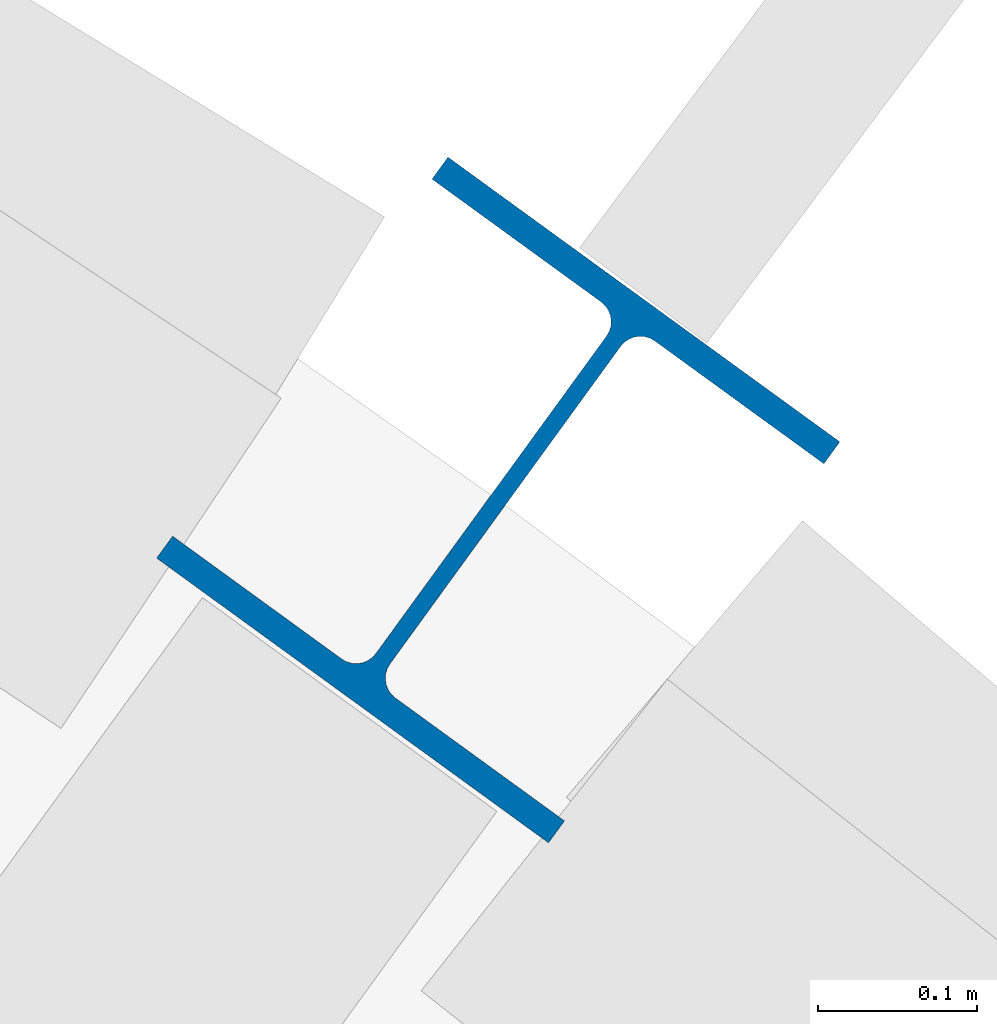
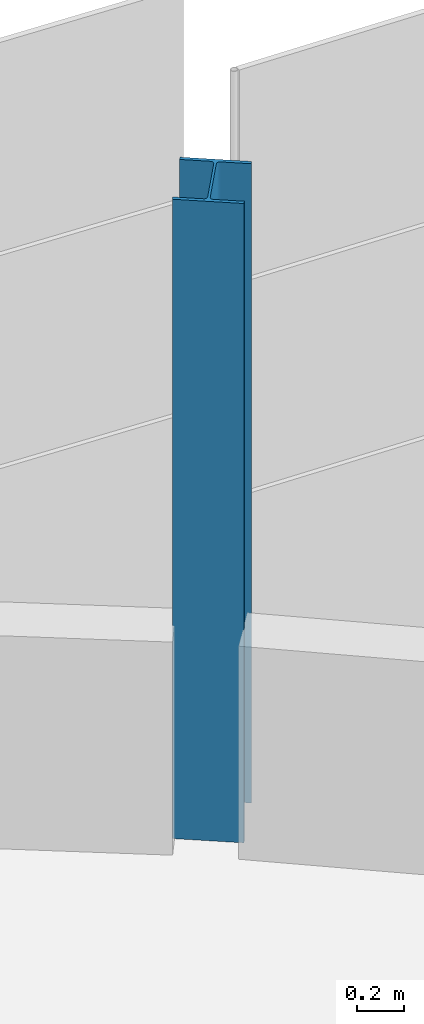
# One storey, part 35 of 214: 1 column.
"""IFC4 building model written with IfcOpenShell, lengths in metres."""

import ifcopenshell
import ifcopenshell.guid

model = None  # the IFC model being written
_history = None  # IfcOwnerHistory: only IFC2X3 demands one
_inside = {}  # id of a spatial element -> (the spatial element, [elements in it])
_under = {}  # id of a project, library or spatial element -> (it, [spatial elements below it])
_declared = {}  # id of a project -> (the project, [libraries it declares])
_typed = {}  # id of a type object -> (the type object, [elements of that type])
_made_of = {}  # id of a material, layer set ... -> (it, [elements and type objects made of it])


def new_model(schema):
    """Start an empty IFC model of exactly this schema.

    Asked for "IFC4X3", IfcOpenShell would pick the latest addendum, in which some entities
    have other attributes; the version numbers below select the first issue.
    IFC2X3 requires an IfcOwnerHistory on every rooted entity: one is made here for all.
    """
    global model, _history
    if schema == "IFC4X3":
        model = ifcopenshell.file(schema_version=(4, 3, 0, 0))
    else:
        model = ifcopenshell.file(schema=schema)
    _inside.clear()
    _under.clear()
    _declared.clear()
    _typed.clear()
    _made_of.clear()
    _history = None
    if model.schema == "IFC2X3":
        org = make("IfcOrganization", Name="unknown")
        user = make(
            "IfcPersonAndOrganization",
            ThePerson=make("IfcPerson", FamilyName="unknown"),
            TheOrganization=org,
        )
        app = make(
            "IfcApplication",
            ApplicationDeveloper=org,
            Version="unknown",
            ApplicationFullName="unknown",
            ApplicationIdentifier="unknown",
        )
        _history = make(
            "IfcOwnerHistory",
            OwningUser=user,
            OwningApplication=app,
            ChangeAction="ADDED",
            CreationDate=0,
        )
    return model


def make(cls, **values):
    """One entity of the class cls with the attributes given. An attribute that is None is left unset."""
    return model.create_entity(
        cls, **{name: value for name, value in values.items() if value is not None}
    )


def rooted(cls, **values):
    """An entity with a GlobalId (a new one), such as an element, a storey or a relation."""
    return make(cls, GlobalId=ifcopenshell.guid.new(), OwnerHistory=_history, **values)


def si_unit(unit_type, name, prefix=None):
    """IfcSIUnit, for example si_unit("LENGTHUNIT", "METRE", prefix="MILLI")."""
    return make("IfcSIUnit", UnitType=unit_type, Prefix=prefix, Name=name)


def assignment(units):
    """IfcUnitAssignment: the units of a project."""
    return None if units is None else make("IfcUnitAssignment", Units=units)


def point(xyz):
    """IfcCartesianPoint."""
    return None if xyz is None else make("IfcCartesianPoint", Coordinates=xyz)


def direction(xyz):
    """IfcDirection."""
    return None if xyz is None else make("IfcDirection", DirectionRatios=xyz)


def frame(location, z_axis=None, x_axis=None):
    """IfcAxis2Placement3D, a coordinate frame: its origin and axes. An axis left out is left unset."""
    return make(
        "IfcAxis2Placement3D",
        Location=point(location),
        Axis=direction(z_axis),
        RefDirection=direction(x_axis),
    )


def frame_2d(location, x_axis=None):
    """IfcAxis2Placement2D, a coordinate frame in the plane: its origin and x axis."""
    return make(
        "IfcAxis2Placement2D", Location=point(location), RefDirection=direction(x_axis)
    )


def origin():
    """The frame at (0, 0, 0) with its axes left unset."""
    return frame((0.0, 0.0, 0.0))


def origin_2d():
    """The frame at (0, 0) in the plane with its x axis left unset."""
    return frame_2d((0.0, 0.0))


def place(relative_to, where):
    """IfcLocalPlacement: puts the frame where relative to a parent placement (None: the world)."""
    return make(
        "IfcLocalPlacement", PlacementRelTo=relative_to, RelativePlacement=where
    )


def context(
    kind, dimensions, precision=None, world=None, true_north=None, identifier=None
):
    """IfcGeometricRepresentationContext, for example the 3D "Model" context."""
    return make(
        "IfcGeometricRepresentationContext",
        ContextIdentifier=identifier,
        ContextType=kind,
        CoordinateSpaceDimension=dimensions,
        Precision=precision,
        WorldCoordinateSystem=world,
        TrueNorth=true_north,
    )


def subcontext(parent, identifier, kind, view, scale=None):
    """IfcGeometricRepresentationSubContext, for example "Body" below "Model"."""
    return make(
        "IfcGeometricRepresentationSubContext",
        ContextIdentifier=identifier,
        ContextType=kind,
        ParentContext=parent,
        TargetScale=scale,
        TargetView=view,
    )


def project(units=None, contexts=None):
    """IfcProject with its units and contexts."""
    return rooted(
        "IfcProject",
        Name="project",
        RepresentationContexts=contexts,
        UnitsInContext=assignment(units),
    )


def spatial(cls, under=None, at=None, **own):
    """A site, building, storey or space (cls), placed at a placement, below another one or the project."""
    s = rooted(cls, ObjectPlacement=at, **own)
    if under is not None:
        _under.setdefault(under.id(), (under, []))[1].append(s)
    return s


def profile(cls, at=None, kind="AREA", **sizes):
    """A parametric profile (cls). Its sizes go by their IFC names, for example OverallWidth=200.0."""
    return make(cls, ProfileType=kind, Position=at, **sizes)


def i_section(**sizes):
    """IfcIShapeProfileDef."""
    return profile("IfcIShapeProfileDef", **sizes)


def extrude(swept, where, along, depth):
    """IfcExtrudedAreaSolid: the profile swept, set in the frame where, extruded along a direction by depth."""
    return make(
        "IfcExtrudedAreaSolid",
        SweptArea=swept,
        Position=where,
        ExtrudedDirection=direction(along),
        Depth=depth,
    )


def shape(context_of_items, identifier, shape_type, items):
    """IfcShapeRepresentation: the items that make up one representation, for example the "Body"."""
    return make(
        "IfcShapeRepresentation",
        ContextOfItems=context_of_items,
        RepresentationIdentifier=identifier,
        RepresentationType=shape_type,
        Items=items,
    )


def material(Name=None, Category=None):
    """IfcMaterial."""
    return make("IfcMaterial", Name=Name, Category=Category)


def material_profile(
    of_material, cross_section, Name=None, Category=None, Priority=None
):
    """IfcMaterialProfile: a cross section and its material."""
    return make(
        "IfcMaterialProfile",
        Name=Name,
        Material=of_material,
        Profile=cross_section,
        Priority=Priority,
        Category=Category,
    )


def profile_set(profiles, Name=None, composite=None):
    """IfcMaterialProfileSet."""
    return make(
        "IfcMaterialProfileSet",
        Name=Name,
        MaterialProfiles=profiles,
        CompositeProfile=composite,
    )


def made_of(thing, what):
    """Note that an element or type object is made of a material, layer set ...; save() writes the relation."""
    if what is not None:
        _made_of.setdefault(what.id(), (what, []))[1].append(thing)
    return thing


def type_object(cls, material=None, **own):
    """A type object (cls), such as IfcWallType, which elements share."""
    return made_of(rooted(cls, **own), material)


def element(
    cls,
    number,
    at=None,
    inside=None,
    cuts=None,
    type_object=None,
    material=None,
    context=None,
    identifier="Body",
    shape_type=None,
    held_by="IfcProductDefinitionShape",
    body=None,
    shapes=None,
    **own,
):
    """One element of the class cls, such as IfcWall. Its Tag is "e" and its number.

    at: its placement. inside: the storey or other place that contains it. cuts: it is an
    opening in that element (IfcRelVoidsElement). A single representation is given by context,
    identifier, shape_type and body (its items); several are given by shapes. held_by: the class
    of the entity that holds the representations. save() writes the other relations.
    """
    e = rooted(cls, Tag="e%d" % number, ObjectPlacement=at, **own)
    if body is not None:
        shapes = [shape(context, identifier, shape_type, body)]
    if shapes is not None:
        e.Representation = make(held_by, Representations=shapes)
    if inside is not None:
        _inside.setdefault(inside.id(), (inside, []))[1].append(e)
    if cuts is not None:
        rooted(
            "IfcRelVoidsElement", RelatingBuildingElement=cuts, RelatedOpeningElement=e
        )
    if type_object is not None:
        _typed.setdefault(type_object.id(), (type_object, []))[1].append(e)
    return made_of(e, material)


def aggregate(whole, parts):
    """IfcRelAggregates: a whole, such as a stair, and the parts it consists of."""
    return rooted("IfcRelAggregates", RelatingObject=whole, RelatedObjects=parts)


def save(model, path):
    """Write the relations noted so far, then the file.

    IfcRelAggregates (storeys below a building ...), IfcRelContainedInSpatialStructure (elements
    in a storey), IfcRelDefinesByType, IfcRelAssociatesMaterial and IfcRelDeclares: one each for
    every whole, place, type object, material and project.
    """
    for whole, parts in _under.values():
        aggregate(whole, parts)
    for where, things in _inside.values():
        rooted(
            "IfcRelContainedInSpatialStructure",
            RelatedElements=things,
            RelatingStructure=where,
        )
    for kind, things in _typed.values():
        rooted("IfcRelDefinesByType", RelatedObjects=things, RelatingType=kind)
    for what, things in _made_of.values():
        rooted("IfcRelAssociatesMaterial", RelatedObjects=things, RelatingMaterial=what)
    for by, libraries in _declared.values():
        rooted("IfcRelDeclares", RelatingContext=by, RelatedDefinitions=libraries)
    model.write(path)


model = new_model("IFC4")

# Units and contexts
model_context = context("Model", 3, precision=1e-05, world=origin(), true_north=direction((0.0, 1.0)))
body_context = subcontext(model_context, "Body", "Model", "MODEL_VIEW")
ifc_project = project(units=[si_unit("LENGTHUNIT", "METRE"), si_unit("AREAUNIT", "SQUARE_METRE"), si_unit("VOLUMEUNIT", "CUBIC_METRE"), si_unit("PLANEANGLEUNIT", "RADIAN"), si_unit("MASSUNIT", "GRAM", prefix="KILO")], contexts=[model_context])

# Site, building, storey
site_placement = place(None, origin())
site = spatial("IfcSite", under=ifc_project, at=site_placement, CompositionType="ELEMENT")
building_placement = place(site_placement, origin())
building = spatial("IfcBuilding", under=site, at=building_placement, Name="Parallax Yard Mobility Hub", CompositionType="ELEMENT")
storey_placement = place(building_placement, frame((0.0, 0.0, 3.300048828125)))
storey = spatial("IfcBuildingStorey", under=building, at=storey_placement, Name="L01", CompositionType="ELEMENT", Elevation=3.300048828125)

# Column
ifc_material = material(Name="Steel ASTM A992", Category="steel")
ifc_material_profile = material_profile(ifc_material, i_section(OverallWidth=0.304931640625, OverallDepth=0.31201171875, WebThickness=0.010986328125, FlangeThickness=0.01708984375, FilletRadius=0.015380859375, at=origin_2d()), Name="W310x107")
ifc_profile_set = profile_set([ifc_material_profile], Name="Steel ASTM A992")
column_type = type_object("IfcColumnType", Name="W310x107 column", PredefinedType="COLUMN", material=ifc_profile_set)
column_placement = place(storey_placement, frame((203.358642578125, 132.473388671875, 0.0), z_axis=(0.0, 0.0, 1.0), x_axis=(-0.809016994375, 0.587785252292, 0.0)))
element("IfcColumn", 1, at=column_placement, inside=storey, type_object=column_type, Name="Column C2 level L01 at RC/R4 of ramped parking decks", PredefinedType="COLUMN", context=body_context, shape_type="SweptSolid", body=[
    extrude(i_section(OverallWidth=0.304931640625, OverallDepth=0.31201171875, WebThickness=0.010986328125, FlangeThickness=0.01708984375, FilletRadius=0.015380859375, at=origin_2d()), origin(), (0.0, 0.0, 1.0), 3.300048828125),
])

save(model, "model.ifc")
